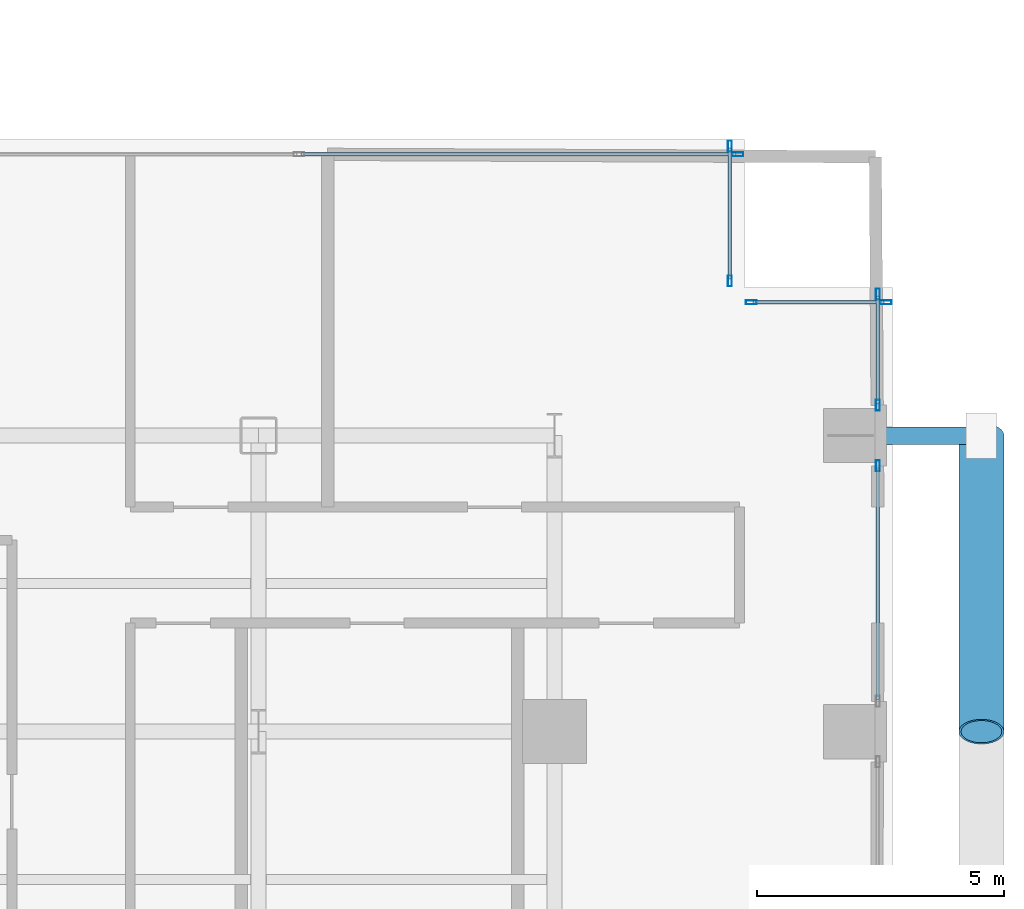
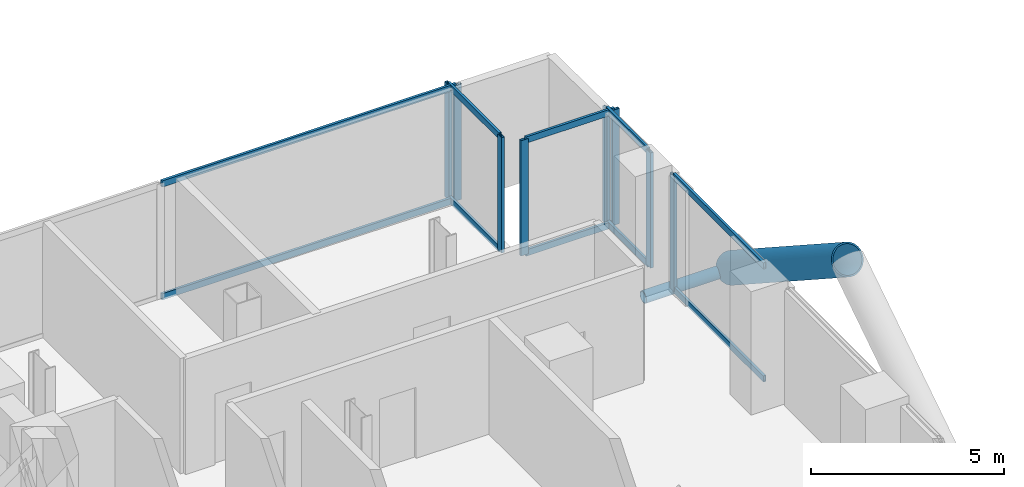
# One storey, part 12 of 25: 20 members, 5 elements without a shape of their own.
"""IFC4 building model written with IfcOpenShell, lengths in metres."""

from ifc_helpers import new_model, si_unit, direction, frame, origin, origin_2d, place, context, subcontext, project, spatial, hollow_rectangle, hollow_circle, extrude, material, layer, layer_set, material_profile, profile_set, type_object, element, aggregate, save


model = new_model("IFC4")

# Units and contexts
model_context = context("Model", 3, precision=1e-05, world=origin(), true_north=direction((0.0, 1.0)))
body_context = subcontext(model_context, "Body", "Model", "MODEL_VIEW")
ifc_project = project(units=[si_unit("LENGTHUNIT", "METRE"), si_unit("AREAUNIT", "SQUARE_METRE"), si_unit("VOLUMEUNIT", "CUBIC_METRE"), si_unit("PLANEANGLEUNIT", "RADIAN"), si_unit("MASSUNIT", "GRAM", prefix="KILO"), si_unit("THERMODYNAMICTEMPERATUREUNIT", "KELVIN"), si_unit("POWERUNIT", "WATT")], contexts=[model_context])

# Site, building, storey
site_placement = place(None, origin())
site = spatial("IfcSite", under=ifc_project, at=site_placement, CompositionType="ELEMENT")
building_placement = place(site_placement, origin())
building = spatial("IfcBuilding", under=site, at=building_placement, Name="Svarakhadi Broadcast Tower", CompositionType="ELEMENT")
storey_placement = place(building_placement, frame((0.0, 0.0, 79.199951171875)))
storey = spatial("IfcBuildingStorey", under=building, at=storey_placement, Name="L18", CompositionType="ELEMENT", Elevation=79.199951171875)

# Curtain wall, member
ifc_material_1 = material(Name="Anodised Bronze Aluminium AA 6063-T6", Category="aluminium")
ifc_layer = layer(ifc_material_1, 0.219970703125)
ifc_layer_set = layer_set([ifc_layer], Name="Anodised Bronze Aluminium AA 6063-T6")
curtain_wall_type = type_object("IfcCurtainWallType", Name="CW_Sys_02", PredefinedType="NOTDEFINED", material=ifc_layer_set)
curtain_wall_1_placement = place(storey_placement, origin())
curtain_wall_1 = element("IfcCurtainWall", 1, at=curtain_wall_1_placement, inside=storey, type_object=curtain_wall_type, Name="L18 Unitised Facade Curtain Wall 10", PredefinedType="NOTDEFINED")
ifc_material_profile_1 = material_profile(ifc_material_1, hollow_rectangle(XDim=0.0849609375, YDim=0.219970703125, WallThickness=0.006103515625, at=origin_2d()), Name="ALU MULLION 220x85x6")
ifc_profile_set_1 = profile_set([ifc_material_profile_1], Name="Anodised Bronze Aluminium AA 6063-T6")
member_type_1 = type_object("IfcMemberType", Name="CW_Sys_02_Mul", PredefinedType="MULLION", material=ifc_profile_set_1)
member_1_placement = place(storey_placement, frame((50.867431640625, 23.699951171875, 0.0), z_axis=(0.0, 0.0, 1.0), x_axis=(0.0, 1.0, 0.0)))
member_1 = element("IfcMember", 2, at=member_1_placement, type_object=member_type_1, Name="CW-02 mullion 4", PredefinedType="MULLION", context=body_context, shape_type="SweptSolid", body=[
    extrude(hollow_rectangle(XDim=0.0849609375, YDim=0.219970703125, WallThickness=0.006103515625, at=origin_2d()), origin(), (0.0, 0.0, 1.0), 3.650146484375),
])

# Curtain wall, members
curtain_wall_2_placement = place(storey_placement, origin())
curtain_wall_2 = element("IfcCurtainWall", 3, at=curtain_wall_2_placement, inside=storey, type_object=curtain_wall_type, Name="L18 Unitised Facade Curtain Wall 11", PredefinedType="NOTDEFINED")
member_2_placement = place(storey_placement, frame((50.699951171875, 23.867431640625, 0.0), z_axis=(0.0, 0.0, 1.0), x_axis=(1.0, 0.0, 0.0)))
member_2 = element("IfcMember", 4, at=member_2_placement, type_object=member_type_1, Name="CW-02 mullion 1", PredefinedType="MULLION", context=body_context, shape_type="SweptSolid", body=[
    extrude(hollow_rectangle(XDim=0.0849609375, YDim=0.219970703125, WallThickness=0.006103515625, at=origin_2d()), origin(), (0.0, 0.0, 1.0), 3.650146484375),
])
member_3_placement = place(storey_placement, frame((50.699951171875, 21.132568359375, 0.0), z_axis=(0.0, 0.0, 1.0), x_axis=(1.0, 0.0, 0.0)))
member_3 = element("IfcMember", 5, at=member_3_placement, type_object=member_type_1, Name="CW-02 mullion 2", PredefinedType="MULLION", context=body_context, shape_type="SweptSolid", body=[
    extrude(hollow_rectangle(XDim=0.0849609375, YDim=0.219970703125, WallThickness=0.006103515625, at=origin_2d()), origin(), (0.0, 0.0, 1.0), 3.650146484375),
])

curtain_wall_3_placement = place(storey_placement, origin())
curtain_wall_3 = element("IfcCurtainWall", 6, at=curtain_wall_3_placement, inside=storey, type_object=curtain_wall_type, Name="L18 Unitised Facade Curtain Wall 12", PredefinedType="NOTDEFINED")
member_4_placement = place(storey_placement, frame((51.132568359375, 20.699951171875, 0.0), z_axis=(0.0, 0.0, 1.0), x_axis=(0.0, 1.0, 0.0)))
member_4 = element("IfcMember", 7, at=member_4_placement, type_object=member_type_1, Name="CW-02 mullion 1", PredefinedType="MULLION", context=body_context, shape_type="SweptSolid", body=[
    extrude(hollow_rectangle(XDim=0.0849609375, YDim=0.219970703125, WallThickness=0.006103515625, at=origin_2d()), origin(), (0.0, 0.0, 1.0), 3.650146484375),
])
member_5_placement = place(storey_placement, frame((53.867431640625, 20.699951171875, 0.0), z_axis=(0.0, 0.0, 1.0), x_axis=(0.0, 1.0, 0.0)))
member_5 = element("IfcMember", 8, at=member_5_placement, type_object=member_type_1, Name="CW-02 mullion 2", PredefinedType="MULLION", context=body_context, shape_type="SweptSolid", body=[
    extrude(hollow_rectangle(XDim=0.0849609375, YDim=0.219970703125, WallThickness=0.006103515625, at=origin_2d()), origin(), (0.0, 0.0, 1.0), 3.650146484375),
])

curtain_wall_4_placement = place(storey_placement, origin())
curtain_wall_4 = element("IfcCurtainWall", 9, at=curtain_wall_4_placement, inside=storey, type_object=curtain_wall_type, Name="L18 Unitised Facade Curtain Wall 13 Bay 1", PredefinedType="NOTDEFINED")
member_6_placement = place(storey_placement, frame((53.699951171875, 20.867431640625, 0.0), z_axis=(0.0, 0.0, 1.0), x_axis=(1.0, 0.0, 0.0)))
member_6 = element("IfcMember", 10, at=member_6_placement, type_object=member_type_1, Name="CW-02 mullion 1", PredefinedType="MULLION", context=body_context, shape_type="SweptSolid", body=[
    extrude(hollow_rectangle(XDim=0.0849609375, YDim=0.219970703125, WallThickness=0.006103515625, at=origin_2d()), origin(), (0.0, 0.0, 1.0), 3.650146484375),
])
member_7_placement = place(storey_placement, frame((53.699951171875, 18.612548828125, 0.0), z_axis=(0.0, 0.0, 1.0), x_axis=(1.0, 0.0, 0.0)))
member_7 = element("IfcMember", 11, at=member_7_placement, type_object=member_type_1, Name="CW-02 mullion 2", PredefinedType="MULLION", context=body_context, shape_type="SweptSolid", body=[
    extrude(hollow_rectangle(XDim=0.0849609375, YDim=0.219970703125, WallThickness=0.006103515625, at=origin_2d()), origin(), (0.0, 0.0, 1.0), 3.650146484375),
])

# Curtain wall, member
curtain_wall_5_placement = place(storey_placement, origin())
curtain_wall_5 = element("IfcCurtainWall", 12, at=curtain_wall_5_placement, inside=storey, type_object=curtain_wall_type, Name="L18 Unitised Facade Curtain Wall 13 Bay 2", PredefinedType="NOTDEFINED")
member_8_placement = place(storey_placement, frame((53.699951171875, 17.387451171875, 0.0), z_axis=(0.0, 0.0, 1.0), x_axis=(1.0, 0.0, 0.0)))
member_8 = element("IfcMember", 13, at=member_8_placement, type_object=member_type_1, Name="CW-02 mullion 1", PredefinedType="MULLION", context=body_context, shape_type="SweptSolid", body=[
    extrude(hollow_rectangle(XDim=0.0849609375, YDim=0.219970703125, WallThickness=0.006103515625, at=origin_2d()), origin(), (0.0, 0.0, 1.0), 3.650146484375),
])

# Member
ifc_material_profile_2 = material_profile(ifc_material_1, hollow_rectangle(XDim=0.074951171875, YDim=0.199951171875, WallThickness=0.0048828125, at=origin_2d()), Name="ALU TRANSOM 200x75x5")
ifc_profile_set_2 = profile_set([ifc_material_profile_2], Name="Anodised Bronze Aluminium AA 6063-T6")
member_type_2 = type_object("IfcMemberType", Name="CW_Sys_02_Trn", PredefinedType="USERDEFINED", material=ifc_profile_set_2)
member_9_placement = place(storey_placement, frame((42.012451171875, 23.699951171875, 0.03759765625), z_axis=(1.0, 0.0, 0.0), x_axis=(0.0, 1.0, 0.0)))
member_9 = element("IfcMember", 14, at=member_9_placement, type_object=member_type_2, Name="CW-02 transom 3.1", ObjectType="TRANSOM", PredefinedType="USERDEFINED", context=body_context, shape_type="SweptSolid", body=[
    extrude(hollow_rectangle(XDim=0.074951171875, YDim=0.199951171875, WallThickness=0.0048828125, at=origin_2d()), origin(), (0.0, 0.0, 1.0), 8.8125),
])

member_10_placement = place(storey_placement, frame((42.012451171875, 23.699951171875, 3.612548828125), z_axis=(1.0, 0.0, 0.0), x_axis=(0.0, 1.0, 0.0)))
member_10 = element("IfcMember", 15, at=member_10_placement, type_object=member_type_2, Name="CW-02 transom 3.2", ObjectType="TRANSOM", PredefinedType="USERDEFINED", context=body_context, shape_type="SweptSolid", body=[
    extrude(hollow_rectangle(XDim=0.074951171875, YDim=0.199951171875, WallThickness=0.0048828125, at=origin_2d()), origin(), (0.0, 0.0, 1.0), 8.8125),
])

aggregate(curtain_wall_1, [member_1, member_9, member_10])

member_11_placement = place(storey_placement, frame((50.699951171875, 23.824951171875, 0.03759765625), z_axis=(0.0, -1.0, 0.0), x_axis=(1.0, 0.0, 0.0)))
member_11 = element("IfcMember", 16, at=member_11_placement, type_object=member_type_2, Name="CW-02 transom 1.1", ObjectType="TRANSOM", PredefinedType="USERDEFINED", context=body_context, shape_type="SweptSolid", body=[
    extrude(hollow_rectangle(XDim=0.074951171875, YDim=0.199951171875, WallThickness=0.0048828125, at=origin_2d()), origin(), (0.0, 0.0, 1.0), 2.64990234375),
])

member_12_placement = place(storey_placement, frame((50.699951171875, 23.824951171875, 3.612548828125), z_axis=(0.0, -1.0, 0.0), x_axis=(1.0, 0.0, 0.0)))
member_12 = element("IfcMember", 17, at=member_12_placement, type_object=member_type_2, Name="CW-02 transom 1.2", ObjectType="TRANSOM", PredefinedType="USERDEFINED", context=body_context, shape_type="SweptSolid", body=[
    extrude(hollow_rectangle(XDim=0.074951171875, YDim=0.199951171875, WallThickness=0.0048828125, at=origin_2d()), origin(), (0.0, 0.0, 1.0), 2.64990234375),
])

aggregate(curtain_wall_2, [member_2, member_3, member_11, member_12])

member_13_placement = place(storey_placement, frame((51.175048828125, 20.699951171875, 0.03759765625), z_axis=(1.0, 0.0, 0.0), x_axis=(0.0, 1.0, 0.0)))
member_13 = element("IfcMember", 18, at=member_13_placement, type_object=member_type_2, Name="CW-02 transom 1.1", ObjectType="TRANSOM", PredefinedType="USERDEFINED", context=body_context, shape_type="SweptSolid", body=[
    extrude(hollow_rectangle(XDim=0.074951171875, YDim=0.199951171875, WallThickness=0.0048828125, at=origin_2d()), origin(), (0.0, 0.0, 1.0), 2.64990234375),
])

member_14_placement = place(storey_placement, frame((51.175048828125, 20.699951171875, 3.612548828125), z_axis=(1.0, 0.0, 0.0), x_axis=(0.0, 1.0, 0.0)))
member_14 = element("IfcMember", 19, at=member_14_placement, type_object=member_type_2, Name="CW-02 transom 1.2", ObjectType="TRANSOM", PredefinedType="USERDEFINED", context=body_context, shape_type="SweptSolid", body=[
    extrude(hollow_rectangle(XDim=0.074951171875, YDim=0.199951171875, WallThickness=0.0048828125, at=origin_2d()), origin(), (0.0, 0.0, 1.0), 2.64990234375),
])

aggregate(curtain_wall_3, [member_4, member_5, member_13, member_14])

member_15_placement = place(storey_placement, frame((53.699951171875, 20.824951171875, 0.03759765625), z_axis=(0.0, -1.0, 0.0), x_axis=(1.0, 0.0, 0.0)))
member_15 = element("IfcMember", 20, at=member_15_placement, type_object=member_type_2, Name="CW-02 transom 1.1", ObjectType="TRANSOM", PredefinedType="USERDEFINED", context=body_context, shape_type="SweptSolid", body=[
    extrude(hollow_rectangle(XDim=0.074951171875, YDim=0.199951171875, WallThickness=0.0048828125, at=origin_2d()), origin(), (0.0, 0.0, 1.0), 2.169921875),
])

member_16_placement = place(storey_placement, frame((53.699951171875, 20.824951171875, 3.612548828125), z_axis=(0.0, -1.0, 0.0), x_axis=(1.0, 0.0, 0.0)))
member_16 = element("IfcMember", 21, at=member_16_placement, type_object=member_type_2, Name="CW-02 transom 1.2", ObjectType="TRANSOM", PredefinedType="USERDEFINED", context=body_context, shape_type="SweptSolid", body=[
    extrude(hollow_rectangle(XDim=0.074951171875, YDim=0.199951171875, WallThickness=0.0048828125, at=origin_2d()), origin(), (0.0, 0.0, 1.0), 2.169921875),
])

aggregate(curtain_wall_4, [member_6, member_7, member_15, member_16])

member_17_placement = place(storey_placement, frame((53.699951171875, 17.344970703125, 0.03759765625), z_axis=(0.0, -1.0, 0.0), x_axis=(1.0, 0.0, 0.0)))
member_17 = element("IfcMember", 22, at=member_17_placement, type_object=member_type_2, Name="CW-02 transom 1.1", ObjectType="TRANSOM", PredefinedType="USERDEFINED", context=body_context, shape_type="SweptSolid", body=[
    extrude(hollow_rectangle(XDim=0.074951171875, YDim=0.199951171875, WallThickness=0.0048828125, at=origin_2d()), origin(), (0.0, 0.0, 1.0), 4.68994140625),
])

member_18_placement = place(storey_placement, frame((53.699951171875, 17.344970703125, 3.612548828125), z_axis=(0.0, -1.0, 0.0), x_axis=(1.0, 0.0, 0.0)))
member_18 = element("IfcMember", 23, at=member_18_placement, type_object=member_type_2, Name="CW-02 transom 1.2", ObjectType="TRANSOM", PredefinedType="USERDEFINED", context=body_context, shape_type="SweptSolid", body=[
    extrude(hollow_rectangle(XDim=0.074951171875, YDim=0.199951171875, WallThickness=0.0048828125, at=origin_2d()), origin(), (0.0, 0.0, 1.0), 4.68994140625),
])

aggregate(curtain_wall_5, [member_8, member_17, member_18])

# Members
ifc_material_2 = material(Name="Steel S460ML (IS 2062 E450BR)", Category="steel")
ifc_material_profile_3 = material_profile(ifc_material_2, hollow_circle(Radius=0.45703125, WallThickness=0.044921875, at=origin_2d()), Name="CHS 914x45")
ifc_profile_set_3 = profile_set([ifc_material_profile_3], Name="Steel S460ML (IS 2062 E450BR)")
member_type_3 = type_object("IfcMemberType", Name="Exo_Brace_CHS914", PredefinedType="BRACE", material=ifc_profile_set_3)
member_19_placement = place(storey_placement, frame((55.800048828125, 18.0, -0.427734375), z_axis=(0.0, -0.838449851971, 0.544978757136), x_axis=(1.0, 0.0, 0.0)))
element("IfcMember", 24, at=member_19_placement, inside=storey, type_object=member_type_3, Name="L18 Exposed Bronze Exoskeleton Diagonal E09", PredefinedType="BRACE", context=body_context, shape_type="SweptSolid", body=[
    extrude(hollow_circle(Radius=0.45703125, WallThickness=0.044921875, at=origin_2d()), origin(), (0.0, 0.0, 1.0), 7.156005859375),
])
ifc_material_profile_4 = material_profile(ifc_material_2, hollow_circle(Radius=0.177734375, WallThickness=0.02001953125, at=origin_2d()), Name="CHS 355.6x20")
ifc_profile_set_4 = profile_set([ifc_material_profile_4], Name="Steel S460ML (IS 2062 E450BR)")
member_type_4 = type_object("IfcMemberType", Name="Exo_Radial_Strut_Z1", PredefinedType="STRUT", material=ifc_profile_set_4)
member_20_placement = place(storey_placement, frame((55.800048828125, 18.0, -0.427734375), z_axis=(-1.0, 0.0, 0.0), x_axis=(0.0, -1.0, 0.0)))
element("IfcMember", 25, at=member_20_placement, inside=storey, type_object=member_type_4, Name="L18 Exoskeleton Radial Tie Strut E10", PredefinedType="STRUT", context=body_context, shape_type="SweptSolid", body=[
    extrude(hollow_circle(Radius=0.177734375, WallThickness=0.02001953125, at=origin_2d()), origin(), (0.0, 0.0, 1.0), 2.650146484375),
])

save(model, "model.ifc")
